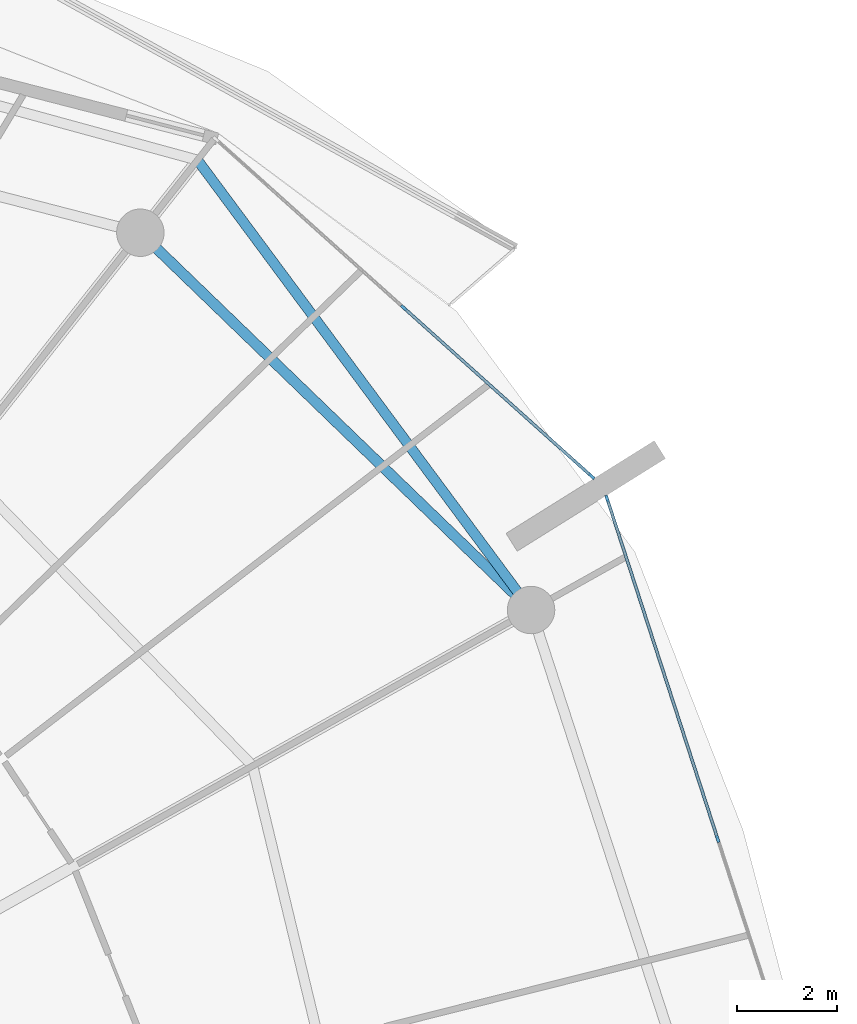
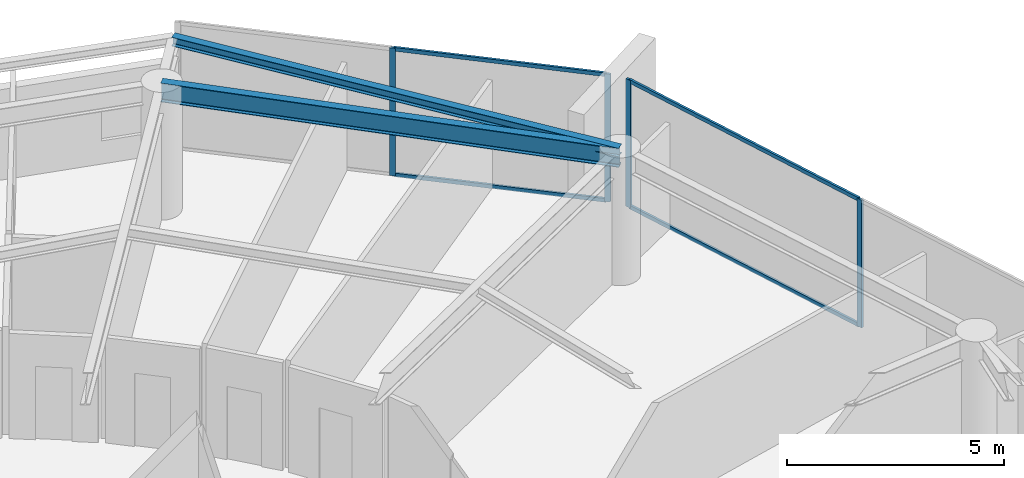
# One storey, part 15 of 31: 8 members, 2 beams, 2 elements without a shape of their own.
"""IFC4 building model written with IfcOpenShell, lengths in metres."""

from ifc_helpers import new_model, si_unit, direction, frame, origin, origin_2d, place, context, subcontext, project, spatial, rectangle, i_section, extrude, material, layer, layer_set, material_profile, profile_set, type_object, element, aggregate, save


model = new_model("IFC4")

# Units and contexts
model_context = context("Model", 3, precision=1e-05, world=origin(), true_north=direction((0.0, 1.0)))
body_context = subcontext(model_context, "Body", "Model", "MODEL_VIEW")
ifc_project = project(units=[si_unit("LENGTHUNIT", "METRE"), si_unit("AREAUNIT", "SQUARE_METRE"), si_unit("VOLUMEUNIT", "CUBIC_METRE"), si_unit("PLANEANGLEUNIT", "RADIAN"), si_unit("MASSUNIT", "GRAM", prefix="KILO")], contexts=[model_context])

# Site, building, storey
site_placement = place(None, origin())
site = spatial("IfcSite", under=ifc_project, at=site_placement, CompositionType="ELEMENT")
building_placement = place(site_placement, origin())
building = spatial("IfcBuilding", under=site, at=building_placement, Name="Kazma Halo Residences", CompositionType="ELEMENT")
storey_placement = place(building_placement, frame((0.0, 0.0, 275.199951171875)))
storey = spatial("IfcBuildingStorey", under=building, at=storey_placement, Name="L69", CompositionType="ELEMENT", Elevation=275.199951171875)

# Beams
ifc_material_1 = material(Name="Steel S355", Category="steel")
ifc_material_profile_1 = material_profile(ifc_material_1, i_section(OverallWidth=0.201904296875, OverallDepth=0.2470703125, WebThickness=0.00732421875, FlangeThickness=0.010986328125, FilletRadius=0.011962890625, at=origin_2d()), Name="W250x49.1")
ifc_profile_set_1 = profile_set([ifc_material_profile_1], Name="Steel S355")
beam_type_1 = type_object("IfcBeamType", Name="BM-BAL-CANT", PredefinedType="BEAM", material=ifc_profile_set_1)
beam_1_placement = place(storey_placement, frame((72.67041015625, 55.81591796875, 3.466552734375), z_axis=(-0.595556062515, 0.803313747176, 0.0), x_axis=(-0.803313747176, -0.595556062515, 0.0)))
element("IfcBeam", 1, at=beam_1_placement, inside=storey, type_object=beam_type_1, Name="L69 wave-balcony lead tie beam 01", PredefinedType="BEAM", context=body_context, shape_type="SweptSolid", body=[
    extrude(i_section(OverallWidth=0.201904296875, OverallDepth=0.2470703125, WebThickness=0.00732421875, FlangeThickness=0.010986328125, FilletRadius=0.011962890625, at=origin_2d()), origin(), (0.0, 0.0, 1.0), 11.213134765625),
])
ifc_material_profile_2 = material_profile(ifc_material_1, i_section(OverallWidth=0.208984375, OverallDepth=0.532958984375, WebThickness=0.01025390625, FlangeThickness=0.015625, FilletRadius=0.01611328125, at=origin_2d()), Name="W530x92")
ifc_profile_set_2 = profile_set([ifc_material_profile_2], Name="Steel S355")
beam_type_2 = type_object("IfcBeamType", Name="BM-SPN-W530", PredefinedType="BEAM", material=ifc_profile_set_2)
beam_2_placement = place(storey_placement, frame((72.67041015625, 55.81591796875, 3.323486328125), z_axis=(-0.719345757929, 0.694652201141, 0.0), x_axis=(-0.694652201141, -0.719345757929, 0.0)))
element("IfcBeam", 2, at=beam_2_placement, inside=storey, type_object=beam_type_2, Name="L69 perimeter ring beam 01", PredefinedType="BEAM", context=body_context, shape_type="SweptSolid", body=[
    extrude(i_section(OverallWidth=0.208984375, OverallDepth=0.532958984375, WebThickness=0.01025390625, FlangeThickness=0.015625, FilletRadius=0.01611328125, at=origin_2d()), origin(), (0.0, 0.0, 1.0), 10.87548828125),
])

# Curtain wall, members
ifc_material_2 = material(Name="Aluminium AW-6063 T6 and Triple-Silver Low-E Glass", Category="aluminium")
ifc_layer = layer(ifc_material_2, 0.139892578125)
ifc_layer_set = layer_set([ifc_layer], Name="Aluminium AW-6063 T6 and Triple-Silver Low-E Glass")
curtain_wall_type = type_object("IfcCurtainWallType", Name="CW-SYS-5", PredefinedType="NOTDEFINED", material=ifc_layer_set)
curtain_wall_1_placement = place(storey_placement, origin())
curtain_wall_1 = element("IfcCurtainWall", 3, at=curtain_wall_1_placement, inside=storey, type_object=curtain_wall_type, Name="L69 unitised curtain wall B01", PredefinedType="NOTDEFINED")
ifc_material_3 = material(Name="Aluminium AW-6063 T6", Category="aluminium")
ifc_material_profile_3 = material_profile(ifc_material_3, rectangle(XDim=0.06005859375, YDim=0.139892578125, at=origin_2d()), Name="CWM-60x140")
ifc_profile_set_3 = profile_set([ifc_material_profile_3], Name="Aluminium AW-6063 T6")
member_type_1 = type_object("IfcMemberType", Name="CW-SYS-5-MUL", PredefinedType="MULLION", material=ifc_profile_set_3)
member_1_placement = place(storey_placement, frame((73.88330078125, 58.491943359375, 0.0), z_axis=(0.0, 0.0, 1.0), x_axis=(-0.667804826958, -0.744336424671, 0.0)))
member_1 = element("IfcMember", 4, at=member_1_placement, type_object=member_type_1, Name="CWS-5 mullion 1", PredefinedType="MULLION", context=body_context, shape_type="SweptSolid", body=[
    extrude(rectangle(XDim=0.06005859375, YDim=0.139892578125, at=origin_2d()), origin(), (0.0, 0.0, 1.0), 3.590087890625),
])
member_2_placement = place(storey_placement, frame((70.121826171875, 61.86669921875, 0.0), z_axis=(0.0, 0.0, 1.0), x_axis=(-0.667804826958, -0.744336424671, 0.0)))
member_2 = element("IfcMember", 5, at=member_2_placement, type_object=member_type_1, Name="CWS-5 mullion 2", PredefinedType="MULLION", context=body_context, shape_type="SweptSolid", body=[
    extrude(rectangle(XDim=0.06005859375, YDim=0.139892578125, at=origin_2d()), origin(), (0.0, 0.0, 1.0), 3.590087890625),
])

curtain_wall_2_placement = place(storey_placement, origin())
curtain_wall_2 = element("IfcCurtainWall", 6, at=curtain_wall_2_placement, inside=storey, type_object=curtain_wall_type, Name="L69 unitised curtain wall B16", PredefinedType="NOTDEFINED")
member_3_placement = place(storey_placement, frame((76.40771484375, 51.230224609375, 0.0), z_axis=(0.0, 0.0, 1.0), x_axis=(-0.951058464359, -0.309010998786, 0.0)))
member_3 = element("IfcMember", 7, at=member_3_placement, type_object=member_type_1, Name="CWS-5 mullion 2", PredefinedType="MULLION", context=body_context, shape_type="SweptSolid", body=[
    extrude(rectangle(XDim=0.06005859375, YDim=0.139892578125, at=origin_2d()), origin(), (0.0, 0.0, 1.0), 3.590087890625),
])
member_4_placement = place(storey_placement, frame((74.1923828125, 58.0478515625, 0.0), z_axis=(0.0, 0.0, 1.0), x_axis=(-0.951058464359, -0.309010998786, 0.0)))
member_4 = element("IfcMember", 8, at=member_4_placement, type_object=member_type_1, Name="CWS-5 mullion 3", PredefinedType="MULLION", context=body_context, shape_type="SweptSolid", body=[
    extrude(rectangle(XDim=0.06005859375, YDim=0.139892578125, at=origin_2d()), origin(), (0.0, 0.0, 1.0), 3.590087890625),
])

# Member
ifc_material_profile_4 = material_profile(ifc_material_3, rectangle(XDim=0.06005859375, YDim=0.10498046875, at=origin_2d()), Name="CWT-60x105")
ifc_profile_set_4 = profile_set([ifc_material_profile_4], Name="Aluminium AW-6063 T6")
member_type_2 = type_object("IfcMemberType", Name="CW-SYS-5-TRN", PredefinedType="USERDEFINED", material=ifc_profile_set_4)
member_5_placement = place(storey_placement, frame((73.861083984375, 58.511962890625, 0.030029296875), z_axis=(-0.744328897483, 0.667813216679, 0.0), x_axis=(-0.667813216679, -0.744328897483, 0.0)))
member_5 = element("IfcMember", 9, at=member_5_placement, type_object=member_type_2, Name="CWS-5 transom 1.1", ObjectType="TRANSOM", PredefinedType="USERDEFINED", context=body_context, shape_type="SweptSolid", body=[
    extrude(rectangle(XDim=0.06005859375, YDim=0.10498046875, at=origin_2d()), origin(), (0.0, 0.0, 1.0), 4.993408203125),
])

member_6_placement = place(storey_placement, frame((73.861083984375, 58.511962890625, 3.56005859375), z_axis=(-0.744328897483, 0.667813216679, 0.0), x_axis=(-0.667813216679, -0.744328897483, 0.0)))
member_6 = element("IfcMember", 10, at=member_6_placement, type_object=member_type_2, Name="CWS-5 transom 1.2", ObjectType="TRANSOM", PredefinedType="USERDEFINED", context=body_context, shape_type="SweptSolid", body=[
    extrude(rectangle(XDim=0.06005859375, YDim=0.10498046875, at=origin_2d()), origin(), (0.0, 0.0, 1.0), 4.993408203125),
])

aggregate(curtain_wall_1, [member_1, member_2, member_5, member_6])

member_7_placement = place(storey_placement, frame((76.3984375, 51.2587890625, 0.030029296875), z_axis=(-0.309027052142, 0.95105324827, 0.0), x_axis=(-0.95105324827, -0.309027052142, 0.0)))
member_7 = element("IfcMember", 11, at=member_7_placement, type_object=member_type_2, Name="CWS-5 transom 2.1", ObjectType="TRANSOM", PredefinedType="USERDEFINED", context=body_context, shape_type="SweptSolid", body=[
    extrude(rectangle(XDim=0.06005859375, YDim=0.10498046875, at=origin_2d()), origin(), (0.0, 0.0, 1.0), 7.108642578125),
])

member_8_placement = place(storey_placement, frame((76.3984375, 51.2587890625, 3.56005859375), z_axis=(-0.309027052142, 0.95105324827, 0.0), x_axis=(-0.95105324827, -0.309027052142, 0.0)))
member_8 = element("IfcMember", 12, at=member_8_placement, type_object=member_type_2, Name="CWS-5 transom 2.2", ObjectType="TRANSOM", PredefinedType="USERDEFINED", context=body_context, shape_type="SweptSolid", body=[
    extrude(rectangle(XDim=0.06005859375, YDim=0.10498046875, at=origin_2d()), origin(), (0.0, 0.0, 1.0), 7.108642578125),
])

aggregate(curtain_wall_2, [member_3, member_4, member_7, member_8])

save(model, "model.ifc")
